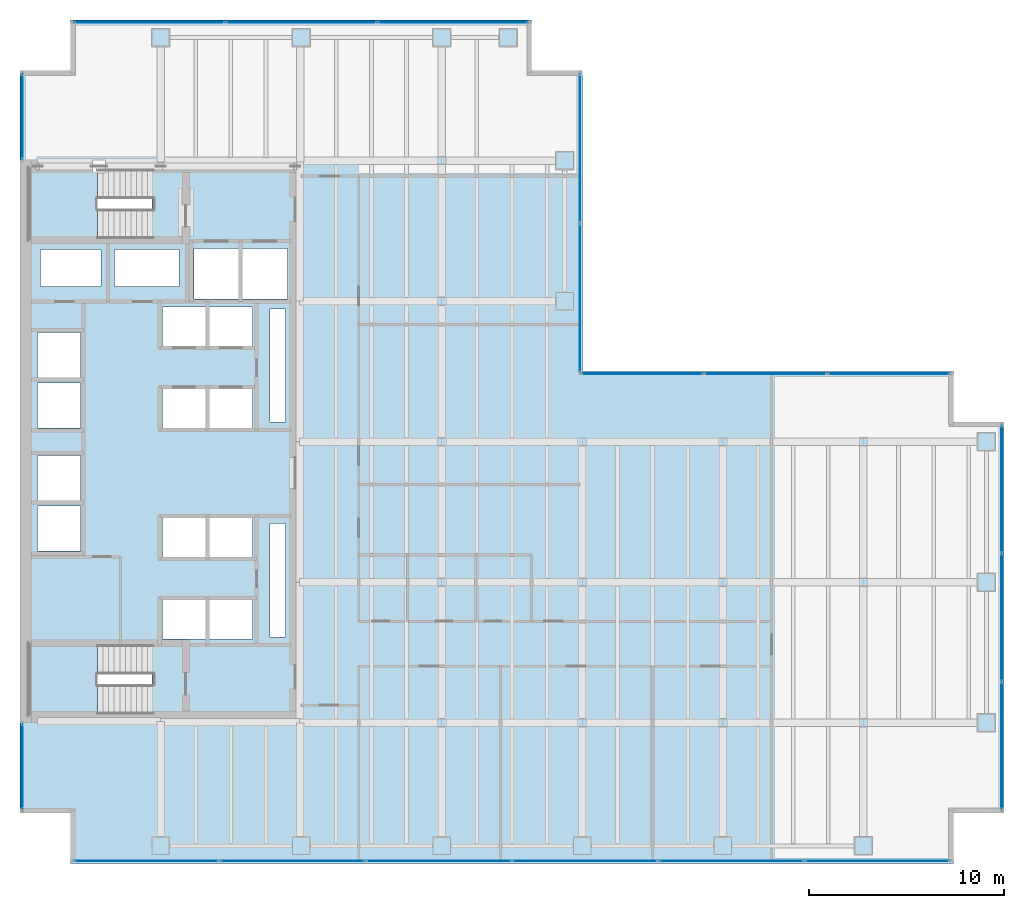
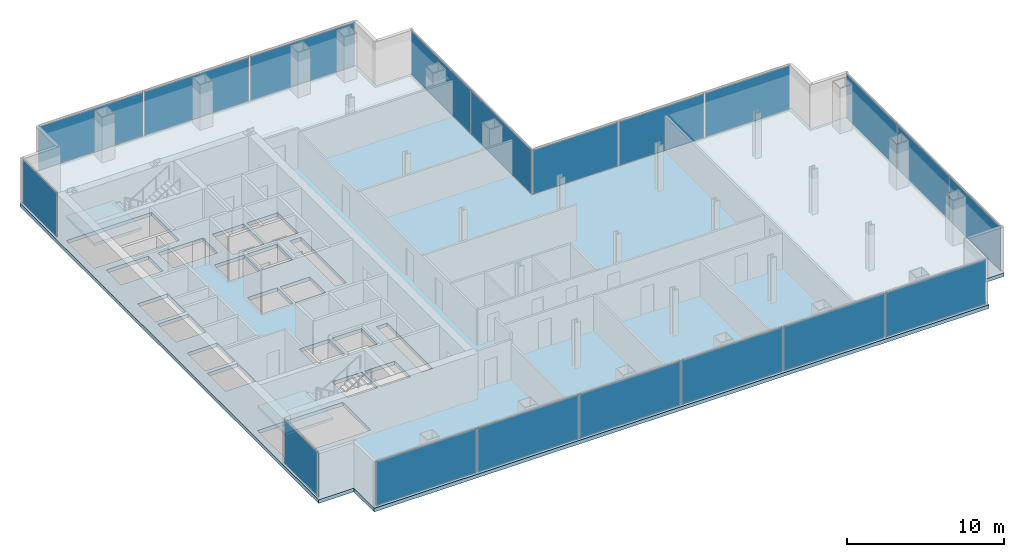
# One storey, part 19 of 24: 19 plates, 3 slabs, 20 openings, 9 elements without a shape of their own.
"""IFC4 building model written with IfcOpenShell, lengths in metres."""

import ifcopenshell
import ifcopenshell.guid

model = None  # the IFC model being written
_history = None  # IfcOwnerHistory: only IFC2X3 demands one
_inside = {}  # id of a spatial element -> (the spatial element, [elements in it])
_under = {}  # id of a project, library or spatial element -> (it, [spatial elements below it])
_declared = {}  # id of a project -> (the project, [libraries it declares])
_typed = {}  # id of a type object -> (the type object, [elements of that type])
_made_of = {}  # id of a material, layer set ... -> (it, [elements and type objects made of it])


def new_model(schema):
    """Start an empty IFC model of exactly this schema.

    Asked for "IFC4X3", IfcOpenShell would pick the latest addendum, in which some entities
    have other attributes; the version numbers below select the first issue.
    IFC2X3 requires an IfcOwnerHistory on every rooted entity: one is made here for all.
    """
    global model, _history
    if schema == "IFC4X3":
        model = ifcopenshell.file(schema_version=(4, 3, 0, 0))
    else:
        model = ifcopenshell.file(schema=schema)
    _inside.clear()
    _under.clear()
    _declared.clear()
    _typed.clear()
    _made_of.clear()
    _history = None
    if model.schema == "IFC2X3":
        org = make("IfcOrganization", Name="unknown")
        user = make(
            "IfcPersonAndOrganization",
            ThePerson=make("IfcPerson", FamilyName="unknown"),
            TheOrganization=org,
        )
        app = make(
            "IfcApplication",
            ApplicationDeveloper=org,
            Version="unknown",
            ApplicationFullName="unknown",
            ApplicationIdentifier="unknown",
        )
        _history = make(
            "IfcOwnerHistory",
            OwningUser=user,
            OwningApplication=app,
            ChangeAction="ADDED",
            CreationDate=0,
        )
    return model


def make(cls, **values):
    """One entity of the class cls with the attributes given. An attribute that is None is left unset."""
    return model.create_entity(
        cls, **{name: value for name, value in values.items() if value is not None}
    )


def rooted(cls, **values):
    """An entity with a GlobalId (a new one), such as an element, a storey or a relation."""
    return make(cls, GlobalId=ifcopenshell.guid.new(), OwnerHistory=_history, **values)


def si_unit(unit_type, name, prefix=None):
    """IfcSIUnit, for example si_unit("LENGTHUNIT", "METRE", prefix="MILLI")."""
    return make("IfcSIUnit", UnitType=unit_type, Prefix=prefix, Name=name)


def assignment(units):
    """IfcUnitAssignment: the units of a project."""
    return None if units is None else make("IfcUnitAssignment", Units=units)


def point(xyz):
    """IfcCartesianPoint."""
    return None if xyz is None else make("IfcCartesianPoint", Coordinates=xyz)


def direction(xyz):
    """IfcDirection."""
    return None if xyz is None else make("IfcDirection", DirectionRatios=xyz)


def frame(location, z_axis=None, x_axis=None):
    """IfcAxis2Placement3D, a coordinate frame: its origin and axes. An axis left out is left unset."""
    return make(
        "IfcAxis2Placement3D",
        Location=point(location),
        Axis=direction(z_axis),
        RefDirection=direction(x_axis),
    )


def frame_2d(location, x_axis=None):
    """IfcAxis2Placement2D, a coordinate frame in the plane: its origin and x axis."""
    return make(
        "IfcAxis2Placement2D", Location=point(location), RefDirection=direction(x_axis)
    )


def origin():
    """The frame at (0, 0, 0) with its axes left unset."""
    return frame((0.0, 0.0, 0.0))


def origin_2d():
    """The frame at (0, 0) in the plane with its x axis left unset."""
    return frame_2d((0.0, 0.0))


def place(relative_to, where):
    """IfcLocalPlacement: puts the frame where relative to a parent placement (None: the world)."""
    return make(
        "IfcLocalPlacement", PlacementRelTo=relative_to, RelativePlacement=where
    )


def context(
    kind, dimensions, precision=None, world=None, true_north=None, identifier=None
):
    """IfcGeometricRepresentationContext, for example the 3D "Model" context."""
    return make(
        "IfcGeometricRepresentationContext",
        ContextIdentifier=identifier,
        ContextType=kind,
        CoordinateSpaceDimension=dimensions,
        Precision=precision,
        WorldCoordinateSystem=world,
        TrueNorth=true_north,
    )


def subcontext(parent, identifier, kind, view, scale=None):
    """IfcGeometricRepresentationSubContext, for example "Body" below "Model"."""
    return make(
        "IfcGeometricRepresentationSubContext",
        ContextIdentifier=identifier,
        ContextType=kind,
        ParentContext=parent,
        TargetScale=scale,
        TargetView=view,
    )


def project(units=None, contexts=None):
    """IfcProject with its units and contexts."""
    return rooted(
        "IfcProject",
        Name="project",
        RepresentationContexts=contexts,
        UnitsInContext=assignment(units),
    )


def spatial(cls, under=None, at=None, **own):
    """A site, building, storey or space (cls), placed at a placement, below another one or the project."""
    s = rooted(cls, ObjectPlacement=at, **own)
    if under is not None:
        _under.setdefault(under.id(), (under, []))[1].append(s)
    return s


def polyline(points):
    """IfcPolyline through the points."""
    return make("IfcPolyline", Points=[point(p) for p in points])


def profile(cls, at=None, kind="AREA", **sizes):
    """A parametric profile (cls). Its sizes go by their IFC names, for example OverallWidth=200.0."""
    return make(cls, ProfileType=kind, Position=at, **sizes)


def rectangle(**sizes):
    """IfcRectangleProfileDef."""
    return profile("IfcRectangleProfileDef", **sizes)


def outline(outer, holes=None, kind="AREA"):
    """IfcArbitraryClosedProfileDef: a profile drawn as a closed curve; with holes, ...WithVoids."""
    if holes is None:
        return make("IfcArbitraryClosedProfileDef", ProfileType=kind, OuterCurve=outer)
    return make(
        "IfcArbitraryProfileDefWithVoids",
        ProfileType=kind,
        OuterCurve=outer,
        InnerCurves=holes,
    )


def extrude(swept, where, along, depth):
    """IfcExtrudedAreaSolid: the profile swept, set in the frame where, extruded along a direction by depth."""
    return make(
        "IfcExtrudedAreaSolid",
        SweptArea=swept,
        Position=where,
        ExtrudedDirection=direction(along),
        Depth=depth,
    )


def shape(context_of_items, identifier, shape_type, items):
    """IfcShapeRepresentation: the items that make up one representation, for example the "Body"."""
    return make(
        "IfcShapeRepresentation",
        ContextOfItems=context_of_items,
        RepresentationIdentifier=identifier,
        RepresentationType=shape_type,
        Items=items,
    )


def material(Name=None, Category=None):
    """IfcMaterial."""
    return make("IfcMaterial", Name=Name, Category=Category)


def layer(
    of_material, thickness, ventilated=None, Name=None, Category=None, Priority=None
):
    """IfcMaterialLayer: one layer of a wall or slab, of a material (None: an air gap)."""
    return make(
        "IfcMaterialLayer",
        Material=of_material,
        LayerThickness=thickness,
        IsVentilated=ventilated,
        Name=Name,
        Category=Category,
        Priority=Priority,
    )


def layer_set(layers, Name=None):
    """IfcMaterialLayerSet."""
    return make("IfcMaterialLayerSet", MaterialLayers=layers, LayerSetName=Name)


def made_of(thing, what):
    """Note that an element or type object is made of a material, layer set ...; save() writes the relation."""
    if what is not None:
        _made_of.setdefault(what.id(), (what, []))[1].append(thing)
    return thing


def type_object(cls, material=None, **own):
    """A type object (cls), such as IfcWallType, which elements share."""
    return made_of(rooted(cls, **own), material)


def element(
    cls,
    number,
    at=None,
    inside=None,
    cuts=None,
    type_object=None,
    material=None,
    context=None,
    identifier="Body",
    shape_type=None,
    held_by="IfcProductDefinitionShape",
    body=None,
    shapes=None,
    **own,
):
    """One element of the class cls, such as IfcWall. Its Tag is "e" and its number.

    at: its placement. inside: the storey or other place that contains it. cuts: it is an
    opening in that element (IfcRelVoidsElement). A single representation is given by context,
    identifier, shape_type and body (its items); several are given by shapes. held_by: the class
    of the entity that holds the representations. save() writes the other relations.
    """
    e = rooted(cls, Tag="e%d" % number, ObjectPlacement=at, **own)
    if body is not None:
        shapes = [shape(context, identifier, shape_type, body)]
    if shapes is not None:
        e.Representation = make(held_by, Representations=shapes)
    if inside is not None:
        _inside.setdefault(inside.id(), (inside, []))[1].append(e)
    if cuts is not None:
        rooted(
            "IfcRelVoidsElement", RelatingBuildingElement=cuts, RelatedOpeningElement=e
        )
    if type_object is not None:
        _typed.setdefault(type_object.id(), (type_object, []))[1].append(e)
    return made_of(e, material)


def aggregate(whole, parts):
    """IfcRelAggregates: a whole, such as a stair, and the parts it consists of."""
    return rooted("IfcRelAggregates", RelatingObject=whole, RelatedObjects=parts)


def save(model, path):
    """Write the relations noted so far, then the file.

    IfcRelAggregates (storeys below a building ...), IfcRelContainedInSpatialStructure (elements
    in a storey), IfcRelDefinesByType, IfcRelAssociatesMaterial and IfcRelDeclares: one each for
    every whole, place, type object, material and project.
    """
    for whole, parts in _under.values():
        aggregate(whole, parts)
    for where, things in _inside.values():
        rooted(
            "IfcRelContainedInSpatialStructure",
            RelatedElements=things,
            RelatingStructure=where,
        )
    for kind, things in _typed.values():
        rooted("IfcRelDefinesByType", RelatedObjects=things, RelatingType=kind)
    for what, things in _made_of.values():
        rooted("IfcRelAssociatesMaterial", RelatedObjects=things, RelatingMaterial=what)
    for by, libraries in _declared.values():
        rooted("IfcRelDeclares", RelatingContext=by, RelatedDefinitions=libraries)
    model.write(path)


model = new_model("IFC4")

# Units and contexts
model_context = context("Model", 3, precision=1e-05, world=origin(), true_north=direction((0.0, 1.0)))
body_context = subcontext(model_context, "Body", "Model", "MODEL_VIEW")
ifc_project = project(units=[si_unit("LENGTHUNIT", "METRE"), si_unit("AREAUNIT", "SQUARE_METRE"), si_unit("VOLUMEUNIT", "CUBIC_METRE"), si_unit("PLANEANGLEUNIT", "RADIAN"), si_unit("MASSUNIT", "GRAM", prefix="KILO")], contexts=[model_context])

# Site, building, storey
site_placement = place(None, origin())
site = spatial("IfcSite", under=ifc_project, at=site_placement, CompositionType="ELEMENT")
building_placement = place(site_placement, origin())
building = spatial("IfcBuilding", under=site, at=building_placement, Name="Cobrela Telecom Tower", CompositionType="ELEMENT")
storey_placement = place(building_placement, frame((0.0, 0.0, 85.050048828125)))
storey = spatial("IfcBuildingStorey", under=building, at=storey_placement, Name="L21", CompositionType="ELEMENT", Elevation=85.050048828125)

# Curtain wall, plate
ifc_material_1 = material(Name="Anodized Bronze Aluminium 6063-T6", Category="aluminium")
curtain_wall_type = type_object("IfcCurtainWallType", Name="CW-SYS-DATA", PredefinedType="USERDEFINED", material=ifc_material_1)
curtain_wall_1_placement = place(storey_placement, origin())
curtain_wall_1 = element("IfcCurtainWall", 1, at=curtain_wall_1_placement, inside=storey, type_object=curtain_wall_type, Name="L21 Unitised Bronze Curtain Wall 03", ObjectType="UNITISED CURTAIN WALL", PredefinedType="USERDEFINED")
ifc_material_2 = material(Name="Solar-Control Bronze Low-E Glass", Category="glass")
ifc_layer_1 = layer(ifc_material_2, 0.0380859375)
ifc_layer_set_1 = layer_set([ifc_layer_1], Name="Solar-Control Bronze Low-E Glass")
plate_type = type_object("IfcPlateType", Name="CW-SYS-DATA-PNL", PredefinedType="CURTAIN_PANEL", material=ifc_layer_set_1)
plate_1_placement = place(storey_placement, frame((0.1201171875, 4.955078125, 0.074951171875), z_axis=(0.0, 0.0, 1.0), x_axis=(0.0, 1.0, 0.0)))
plate_1 = element("IfcPlate", 2, at=plate_1_placement, type_object=plate_type, Name="CW-DATA panel 1.1", PredefinedType="CURTAIN_PANEL", context=body_context, shape_type="SweptSolid", body=[
    extrude(rectangle(XDim=4.330078125, YDim=0.0380859375, at=origin_2d()), origin(), (0.0, 0.0, 1.0), 3.419921875),
])
aggregate(curtain_wall_1, [plate_1])

curtain_wall_2_placement = place(storey_placement, origin())
curtain_wall_2 = element("IfcCurtainWall", 3, at=curtain_wall_2_placement, inside=storey, type_object=curtain_wall_type, Name="L21 Unitised Bronze Curtain Wall 04", ObjectType="UNITISED CURTAIN WALL", PredefinedType="USERDEFINED")
plate_2_placement = place(storey_placement, frame((0.1201171875, 38.2451171875, 0.074951171875), z_axis=(0.0, 0.0, 1.0), x_axis=(0.0, 1.0, 0.0)))
plate_2 = element("IfcPlate", 4, at=plate_2_placement, type_object=plate_type, Name="CW-DATA panel 1.1", PredefinedType="CURTAIN_PANEL", context=body_context, shape_type="SweptSolid", body=[
    extrude(rectangle(XDim=4.330078125, YDim=0.0380859375, at=origin_2d()), origin(), (0.0, 0.0, 1.0), 3.419921875),
])
aggregate(curtain_wall_2, [plate_2])

# Curtain wall, plates
curtain_wall_3_placement = place(storey_placement, origin())
curtain_wall_3 = element("IfcCurtainWall", 5, at=curtain_wall_3_placement, inside=storey, type_object=curtain_wall_type, Name="L21 Unitised Bronze Curtain Wall 07", ObjectType="UNITISED CURTAIN WALL", PredefinedType="USERDEFINED")
plate_3_placement = place(storey_placement, frame((6.626708984375, 43.080078125, 0.074951171875), z_axis=(0.0, 0.0, 1.0), x_axis=(1.0, 0.0, 0.0)))
plate_3 = element("IfcPlate", 6, at=plate_3_placement, type_object=plate_type, Name="CW-DATA panel 1.1", PredefinedType="CURTAIN_PANEL", context=body_context, shape_type="SweptSolid", body=[
    extrude(rectangle(XDim=7.67333984375, YDim=0.0380859375, at=origin_2d()), origin(), (0.0, 0.0, 1.0), 3.419921875),
])
plate_4_placement = place(storey_placement, frame((14.39990234375, 43.080078125, 0.074951171875), z_axis=(0.0, 0.0, 1.0), x_axis=(1.0, 0.0, 0.0)))
plate_4 = element("IfcPlate", 7, at=plate_4_placement, type_object=plate_type, Name="CW-DATA panel 2.1", PredefinedType="CURTAIN_PANEL", context=body_context, shape_type="SweptSolid", body=[
    extrude(rectangle(XDim=7.71337890625, YDim=0.0380859375, at=origin_2d()), origin(), (0.0, 0.0, 1.0), 3.419921875),
])
plate_5_placement = place(storey_placement, frame((22.17333984375, 43.080078125, 0.074951171875), z_axis=(0.0, 0.0, 1.0), x_axis=(1.0, 0.0, 0.0)))
plate_5 = element("IfcPlate", 8, at=plate_5_placement, type_object=plate_type, Name="CW-DATA panel 3.1", PredefinedType="CURTAIN_PANEL", context=body_context, shape_type="SweptSolid", body=[
    extrude(rectangle(XDim=7.67333984375, YDim=0.0380859375, at=origin_2d()), origin(), (0.0, 0.0, 1.0), 3.419921875),
])
aggregate(curtain_wall_3, [plate_3, plate_4, plate_5])

curtain_wall_4_placement = place(storey_placement, origin())
curtain_wall_4 = element("IfcCurtainWall", 9, at=curtain_wall_4_placement, inside=storey, type_object=curtain_wall_type, Name="L21 Unitised Bronze Curtain Wall 10", ObjectType="UNITISED CURTAIN WALL", PredefinedType="USERDEFINED")
plate_6_placement = place(storey_placement, frame((28.679931640625, 36.617431640625, 0.074951171875), z_axis=(0.0, 0.0, 1.0), x_axis=(0.0, -1.0, 0.0)))
plate_6 = element("IfcPlate", 10, at=plate_6_placement, type_object=plate_type, Name="CW-DATA panel 1.1", PredefinedType="CURTAIN_PANEL", context=body_context, shape_type="SweptSolid", body=[
    extrude(rectangle(XDim=7.5849609375, YDim=0.0380859375, at=origin_2d()), origin(), (0.0, 0.0, 1.0), 3.419921875),
])
plate_7_placement = place(storey_placement, frame((28.679931640625, 28.952392578125, 0.074951171875), z_axis=(0.0, 0.0, 1.0), x_axis=(0.0, -1.0, 0.0)))
plate_7 = element("IfcPlate", 11, at=plate_7_placement, type_object=plate_type, Name="CW-DATA panel 2.1", PredefinedType="CURTAIN_PANEL", context=body_context, shape_type="SweptSolid", body=[
    extrude(rectangle(XDim=7.5849609375, YDim=0.0380859375, at=origin_2d()), origin(), (0.0, 0.0, 1.0), 3.419921875),
])
aggregate(curtain_wall_4, [plate_6, plate_7])

curtain_wall_5_placement = place(storey_placement, origin())
curtain_wall_5 = element("IfcCurtainWall", 12, at=curtain_wall_5_placement, inside=storey, type_object=curtain_wall_type, Name="L21 Unitised Bronze Curtain Wall 11", ObjectType="UNITISED CURTAIN WALL", PredefinedType="USERDEFINED")
plate_8_placement = place(storey_placement, frame((31.868408203125, 25.080078125, 0.074951171875), z_axis=(0.0, 0.0, 1.0), x_axis=(1.0, 0.0, 0.0)))
plate_8 = element("IfcPlate", 13, at=plate_8_placement, type_object=plate_type, Name="CW-DATA panel 1.1", PredefinedType="CURTAIN_PANEL", context=body_context, shape_type="SweptSolid", body=[
    extrude(rectangle(XDim=6.216552734375, YDim=0.0380859375, at=origin_2d()), origin(), (0.0, 0.0, 1.0), 3.419921875),
])
plate_9_placement = place(storey_placement, frame((38.18505859375, 25.080078125, 0.074951171875), z_axis=(0.0, 0.0, 1.0), x_axis=(1.0, 0.0, 0.0)))
plate_9 = element("IfcPlate", 14, at=plate_9_placement, type_object=plate_type, Name="CW-DATA panel 2.1", PredefinedType="CURTAIN_PANEL", context=body_context, shape_type="SweptSolid", body=[
    extrude(rectangle(XDim=6.256591796875, YDim=0.0380859375, at=origin_2d()), origin(), (0.0, 0.0, 1.0), 3.419921875),
])
plate_10_placement = place(storey_placement, frame((44.501708984375, 25.080078125, 0.074951171875), z_axis=(0.0, 0.0, 1.0), x_axis=(1.0, 0.0, 0.0)))
plate_10 = element("IfcPlate", 15, at=plate_10_placement, type_object=plate_type, Name="CW-DATA panel 3.1", PredefinedType="CURTAIN_PANEL", context=body_context, shape_type="SweptSolid", body=[
    extrude(rectangle(XDim=6.216552734375, YDim=0.0380859375, at=origin_2d()), origin(), (0.0, 0.0, 1.0), 3.419921875),
])
aggregate(curtain_wall_5, [plate_8, plate_9, plate_10])

curtain_wall_6_placement = place(storey_placement, origin())
curtain_wall_6 = element("IfcCurtainWall", 16, at=curtain_wall_6_placement, inside=storey, type_object=curtain_wall_type, Name="L21 Unitised Bronze Curtain Wall 14", ObjectType="UNITISED CURTAIN WALL", PredefinedType="USERDEFINED")
plate_11_placement = place(storey_placement, frame((50.280029296875, 19.17333984375, 0.074951171875), z_axis=(0.0, 0.0, 1.0), x_axis=(0.0, -1.0, 0.0)))
plate_11 = element("IfcPlate", 17, at=plate_11_placement, type_object=plate_type, Name="CW-DATA panel 1.1", PredefinedType="CURTAIN_PANEL", context=body_context, shape_type="SweptSolid", body=[
    extrude(rectangle(XDim=6.473388671875, YDim=0.0380859375, at=origin_2d()), origin(), (0.0, 0.0, 1.0), 3.419921875),
])
plate_12_placement = place(storey_placement, frame((50.280029296875, 12.60009765625, 0.074951171875), z_axis=(0.0, 0.0, 1.0), x_axis=(0.0, -1.0, 0.0)))
plate_12 = element("IfcPlate", 18, at=plate_12_placement, type_object=plate_type, Name="CW-DATA panel 2.1", PredefinedType="CURTAIN_PANEL", context=body_context, shape_type="SweptSolid", body=[
    extrude(rectangle(XDim=6.513427734375, YDim=0.0380859375, at=origin_2d()), origin(), (0.0, 0.0, 1.0), 3.419921875),
])
plate_13_placement = place(storey_placement, frame((50.280029296875, 6.026611328125, 0.074951171875), z_axis=(0.0, 0.0, 1.0), x_axis=(0.0, -1.0, 0.0)))
plate_13 = element("IfcPlate", 19, at=plate_13_placement, type_object=plate_type, Name="CW-DATA panel 3.1", PredefinedType="CURTAIN_PANEL", context=body_context, shape_type="SweptSolid", body=[
    extrude(rectangle(XDim=6.473388671875, YDim=0.0380859375, at=origin_2d()), origin(), (0.0, 0.0, 1.0), 3.419921875),
])
aggregate(curtain_wall_6, [plate_11, plate_12, plate_13])

curtain_wall_7_placement = place(storey_placement, origin())
curtain_wall_7 = element("IfcCurtainWall", 20, at=curtain_wall_7_placement, inside=storey, type_object=curtain_wall_type, Name="L21 Unitised Bronze Curtain Wall 17", ObjectType="UNITISED CURTAIN WALL", PredefinedType="USERDEFINED")
plate_14_placement = place(storey_placement, frame((43.921630859375, 0.1201171875, 0.074951171875), z_axis=(0.0, 0.0, 1.0), x_axis=(-1.0, 0.0, 0.0)))
plate_14 = element("IfcPlate", 21, at=plate_14_placement, type_object=plate_type, Name="CW-DATA panel 1.1", PredefinedType="CURTAIN_PANEL", context=body_context, shape_type="SweptSolid", body=[
    extrude(rectangle(XDim=7.376708984375, YDim=0.0380859375, at=origin_2d()), origin(), (0.0, 0.0, 1.0), 3.419921875),
])
plate_15_placement = place(storey_placement, frame((36.445068359375, 0.1201171875, 0.074951171875), z_axis=(0.0, 0.0, 1.0), x_axis=(-1.0, 0.0, 0.0)))
plate_15 = element("IfcPlate", 22, at=plate_15_placement, type_object=plate_type, Name="CW-DATA panel 2.1", PredefinedType="CURTAIN_PANEL", context=body_context, shape_type="SweptSolid", body=[
    extrude(rectangle(XDim=7.416748046875, YDim=0.0380859375, at=origin_2d()), origin(), (0.0, 0.0, 1.0), 3.419921875),
])
plate_16_placement = place(storey_placement, frame((28.9482421875, 0.1201171875, 0.074951171875), z_axis=(0.0, 0.0, 1.0), x_axis=(-1.0, 0.0, 0.0)))
plate_16 = element("IfcPlate", 23, at=plate_16_placement, type_object=plate_type, Name="CW-DATA panel 3.1", PredefinedType="CURTAIN_PANEL", context=body_context, shape_type="SweptSolid", body=[
    extrude(rectangle(XDim=7.416748046875, YDim=0.0380859375, at=origin_2d()), origin(), (0.0, 0.0, 1.0), 3.419921875),
])
plate_17_placement = place(storey_placement, frame((21.45166015625, 0.1201171875, 0.074951171875), z_axis=(0.0, 0.0, 1.0), x_axis=(-1.0, 0.0, 0.0)))
plate_17 = element("IfcPlate", 24, at=plate_17_placement, type_object=plate_type, Name="CW-DATA panel 4.1", PredefinedType="CURTAIN_PANEL", context=body_context, shape_type="SweptSolid", body=[
    extrude(rectangle(XDim=7.416748046875, YDim=0.0380859375, at=origin_2d()), origin(), (0.0, 0.0, 1.0), 3.419921875),
])
plate_18_placement = place(storey_placement, frame((13.955078125, 0.1201171875, 0.074951171875), z_axis=(0.0, 0.0, 1.0), x_axis=(-1.0, 0.0, 0.0)))
plate_18 = element("IfcPlate", 25, at=plate_18_placement, type_object=plate_type, Name="CW-DATA panel 5.1", PredefinedType="CURTAIN_PANEL", context=body_context, shape_type="SweptSolid", body=[
    extrude(rectangle(XDim=7.416748046875, YDim=0.0380859375, at=origin_2d()), origin(), (0.0, 0.0, 1.0), 3.419921875),
])
plate_19_placement = place(storey_placement, frame((6.478271484375, 0.1201171875, 0.074951171875), z_axis=(0.0, 0.0, 1.0), x_axis=(-1.0, 0.0, 0.0)))
plate_19 = element("IfcPlate", 26, at=plate_19_placement, type_object=plate_type, Name="CW-DATA panel 6.1", PredefinedType="CURTAIN_PANEL", context=body_context, shape_type="SweptSolid", body=[
    extrude(rectangle(XDim=7.376708984375, YDim=0.0380859375, at=origin_2d()), origin(), (0.0, 0.0, 1.0), 3.419921875),
])
aggregate(curtain_wall_7, [plate_14, plate_15, plate_16, plate_17, plate_18, plate_19])

# Slab, openings
ifc_material_3 = material(Name="Concrete C40/50", Category="concrete")
ifc_layer_2 = layer(ifc_material_3, 0.280029296875)
ifc_layer_set_2 = layer_set([ifc_layer_2], Name="Concrete C40/50")
slab_type_1 = type_object("IfcSlabType", Name="SLAB-FLR-280", PredefinedType="FLOOR", material=ifc_layer_set_2)
slab_1_placement = place(storey_placement, frame((0.0, 0.0, -0.280029296875)))
slab_1 = element("IfcSlab", 27, at=slab_1_placement, inside=storey, type_object=slab_type_1, Name="L21 Structural Floor Slab", PredefinedType="FLOOR", context=body_context, shape_type="SweptSolid", body=[
    extrude(outline(polyline([(2.590087890625, 0.0), (47.81005859375, 0.0), (47.81005859375, 2.590087890625), (50.39990234375, 2.590087890625), (50.39990234375, 22.610107421875), (47.81005859375, 22.610107421875), (47.81005859375, 25.199951171875), (28.800048828125, 25.199951171875), (28.800048828125, 40.610107421875), (26.2099609375, 40.610107421875), (26.2099609375, 43.199951171875), (2.590087890625, 43.199951171875), (2.590087890625, 40.610107421875), (0.0, 40.610107421875), (0.0, 2.590087890625), (2.590087890625, 2.590087890625), (2.590087890625, 0.0)])), origin(), (0.0, 0.0, 1.0), 0.280029296875),
])
opening_1_placement = place(slab_1_placement, frame((0.0, 0.0, -0.02001953125)))
element("IfcOpeningElement", 28, at=opening_1_placement, cuts=slab_1, Name="Slab Shaft Opening SLAB-L21-MAIN.1", PredefinedType="OPENING", context=body_context, shape_type="SweptSolid", body=[
    extrude(outline(polyline([(8.89990234375, 28.89990234375), (11.199951171875, 28.89990234375), (11.199951171875, 31.5), (8.89990234375, 31.5), (8.89990234375, 28.89990234375)])), origin(), (0.0, 0.0, 1.0), 0.320068359375),
])
opening_2_placement = place(slab_1_placement, frame((0.0, 0.0, -0.02001953125)))
element("IfcOpeningElement", 29, at=opening_2_placement, cuts=slab_1, Name="Slab Shaft Opening SLAB-L21-MAIN.2", PredefinedType="OPENING", context=body_context, shape_type="SweptSolid", body=[
    extrude(outline(polyline([(11.39990234375, 28.89990234375), (13.699951171875, 28.89990234375), (13.699951171875, 31.5), (11.39990234375, 31.5), (11.39990234375, 28.89990234375)])), origin(), (0.0, 0.0, 1.0), 0.320068359375),
])
opening_3_placement = place(slab_1_placement, frame((0.0, 0.0, -0.02001953125)))
element("IfcOpeningElement", 30, at=opening_3_placement, cuts=slab_1, Name="Slab Shaft Opening SLAB-L21-MAIN.3", PredefinedType="OPENING", context=body_context, shape_type="SweptSolid", body=[
    extrude(outline(polyline([(7.300048828125, 22.300048828125), (9.5, 22.300048828125), (9.5, 24.300048828125), (7.300048828125, 24.300048828125), (7.300048828125, 22.300048828125)])), origin(), (0.0, 0.0, 1.0), 0.320068359375),
])
opening_4_placement = place(slab_1_placement, frame((0.0, 0.0, -0.02001953125)))
element("IfcOpeningElement", 31, at=opening_4_placement, cuts=slab_1, Name="Slab Shaft Opening SLAB-L21-MAIN.4", PredefinedType="OPENING", context=body_context, shape_type="SweptSolid", body=[
    extrude(outline(polyline([(9.699951171875, 22.300048828125), (11.89990234375, 22.300048828125), (11.89990234375, 24.300048828125), (9.699951171875, 24.300048828125), (9.699951171875, 22.300048828125)])), origin(), (0.0, 0.0, 1.0), 0.320068359375),
])
opening_5_placement = place(slab_1_placement, frame((0.0, 0.0, -0.02001953125)))
element("IfcOpeningElement", 32, at=opening_5_placement, cuts=slab_1, Name="Slab Shaft Opening SLAB-L21-MAIN.5", PredefinedType="OPENING", context=body_context, shape_type="SweptSolid", body=[
    extrude(outline(polyline([(7.300048828125, 26.5), (9.5, 26.5), (9.5, 28.5), (7.300048828125, 28.5), (7.300048828125, 26.5)])), origin(), (0.0, 0.0, 1.0), 0.320068359375),
])
opening_6_placement = place(slab_1_placement, frame((0.0, 0.0, -0.02001953125)))
element("IfcOpeningElement", 33, at=opening_6_placement, cuts=slab_1, Name="Slab Shaft Opening SLAB-L21-MAIN.6", PredefinedType="OPENING", context=body_context, shape_type="SweptSolid", body=[
    extrude(outline(polyline([(9.699951171875, 26.5), (11.89990234375, 26.5), (11.89990234375, 28.5), (9.699951171875, 28.5), (9.699951171875, 26.5)])), origin(), (0.0, 0.0, 1.0), 0.320068359375),
])
opening_7_placement = place(slab_1_placement, frame((0.0, 0.0, -0.02001953125)))
element("IfcOpeningElement", 34, at=opening_7_placement, cuts=slab_1, Name="Slab Shaft Opening SLAB-L21-MAIN.7", PredefinedType="OPENING", context=body_context, shape_type="SweptSolid", body=[
    extrude(outline(polyline([(7.300048828125, 15.699951171875), (9.5, 15.699951171875), (9.5, 17.699951171875), (7.300048828125, 17.699951171875), (7.300048828125, 15.699951171875)])), origin(), (0.0, 0.0, 1.0), 0.320068359375),
])
opening_8_placement = place(slab_1_placement, frame((0.0, 0.0, -0.02001953125)))
element("IfcOpeningElement", 35, at=opening_8_placement, cuts=slab_1, Name="Slab Shaft Opening SLAB-L21-MAIN.8", PredefinedType="OPENING", context=body_context, shape_type="SweptSolid", body=[
    extrude(outline(polyline([(9.699951171875, 15.699951171875), (11.89990234375, 15.699951171875), (11.89990234375, 17.699951171875), (9.699951171875, 17.699951171875), (9.699951171875, 15.699951171875)])), origin(), (0.0, 0.0, 1.0), 0.320068359375),
])
opening_9_placement = place(slab_1_placement, frame((0.0, 0.0, -0.02001953125)))
element("IfcOpeningElement", 36, at=opening_9_placement, cuts=slab_1, Name="Slab Shaft Opening SLAB-L21-MAIN.9", PredefinedType="OPENING", context=body_context, shape_type="SweptSolid", body=[
    extrude(outline(polyline([(7.300048828125, 11.5), (9.5, 11.5), (9.5, 13.5), (7.300048828125, 13.5), (7.300048828125, 11.5)])), origin(), (0.0, 0.0, 1.0), 0.320068359375),
])
opening_10_placement = place(slab_1_placement, frame((0.0, 0.0, -0.02001953125)))
element("IfcOpeningElement", 37, at=opening_10_placement, cuts=slab_1, Name="Slab Shaft Opening SLAB-L21-MAIN.10", PredefinedType="OPENING", context=body_context, shape_type="SweptSolid", body=[
    extrude(outline(polyline([(9.699951171875, 11.5), (11.89990234375, 11.5), (11.89990234375, 13.5), (9.699951171875, 13.5), (9.699951171875, 11.5)])), origin(), (0.0, 0.0, 1.0), 0.320068359375),
])
opening_11_placement = place(slab_1_placement, frame((0.0, 0.0, -0.02001953125)))
element("IfcOpeningElement", 38, at=opening_11_placement, cuts=slab_1, Name="Slab Shaft Opening SLAB-L21-MAIN.11", PredefinedType="OPENING", context=body_context, shape_type="SweptSolid", body=[
    extrude(outline(polyline([(0.89990234375, 16.0), (3.10009765625, 16.0), (3.10009765625, 18.300048828125), (0.89990234375, 18.300048828125), (0.89990234375, 16.0)])), origin(), (0.0, 0.0, 1.0), 0.320068359375),
])
opening_12_placement = place(slab_1_placement, frame((0.0, 0.0, -0.02001953125)))
element("IfcOpeningElement", 39, at=opening_12_placement, cuts=slab_1, Name="Slab Shaft Opening SLAB-L21-MAIN.12", PredefinedType="OPENING", context=body_context, shape_type="SweptSolid", body=[
    extrude(outline(polyline([(0.89990234375, 18.60009765625), (3.10009765625, 18.60009765625), (3.10009765625, 20.89990234375), (0.89990234375, 20.89990234375), (0.89990234375, 18.60009765625)])), origin(), (0.0, 0.0, 1.0), 0.320068359375),
])
opening_13_placement = place(slab_1_placement, frame((0.0, 0.0, -0.02001953125)))
element("IfcOpeningElement", 40, at=opening_13_placement, cuts=slab_1, Name="Slab Shaft Opening SLAB-L21-MAIN.13", PredefinedType="OPENING", context=body_context, shape_type="SweptSolid", body=[
    extrude(outline(polyline([(0.89990234375, 22.300048828125), (3.10009765625, 22.300048828125), (3.10009765625, 24.60009765625), (0.89990234375, 24.60009765625), (0.89990234375, 22.300048828125)])), origin(), (0.0, 0.0, 1.0), 0.320068359375),
])
opening_14_placement = place(slab_1_placement, frame((0.0, 0.0, -0.02001953125)))
element("IfcOpeningElement", 41, at=opening_14_placement, cuts=slab_1, Name="Slab Shaft Opening SLAB-L21-MAIN.14", PredefinedType="OPENING", context=body_context, shape_type="SweptSolid", body=[
    extrude(outline(polyline([(0.89990234375, 24.89990234375), (3.10009765625, 24.89990234375), (3.10009765625, 27.199951171875), (0.89990234375, 27.199951171875), (0.89990234375, 24.89990234375)])), origin(), (0.0, 0.0, 1.0), 0.320068359375),
])
opening_15_placement = place(slab_1_placement, frame((0.0, 0.0, -0.02001953125)))
element("IfcOpeningElement", 42, at=opening_15_placement, cuts=slab_1, Name="Slab Shaft Opening SLAB-L21-MAIN.15", PredefinedType="OPENING", context=body_context, shape_type="SweptSolid", body=[
    extrude(outline(polyline([(1.050048828125, 29.550048828125), (4.14990234375, 29.550048828125), (4.14990234375, 31.449951171875), (1.050048828125, 31.449951171875), (1.050048828125, 29.550048828125)])), origin(), (0.0, 0.0, 1.0), 0.320068359375),
])
opening_16_placement = place(slab_1_placement, frame((0.0, 0.0, -0.02001953125)))
element("IfcOpeningElement", 43, at=opening_16_placement, cuts=slab_1, Name="Slab Shaft Opening SLAB-L21-MAIN.16", PredefinedType="OPENING", context=body_context, shape_type="SweptSolid", body=[
    extrude(outline(polyline([(4.85009765625, 29.550048828125), (8.14990234375, 29.550048828125), (8.14990234375, 31.449951171875), (4.85009765625, 31.449951171875), (4.85009765625, 29.550048828125)])), origin(), (0.0, 0.0, 1.0), 0.320068359375),
])
opening_17_placement = place(slab_1_placement, frame((0.0, 0.0, -0.02001953125)))
element("IfcOpeningElement", 44, at=opening_17_placement, cuts=slab_1, Name="Slab Shaft Opening SLAB-L21-MAIN.17", PredefinedType="OPENING", context=body_context, shape_type="SweptSolid", body=[
    extrude(outline(polyline([(12.800048828125, 22.60009765625), (13.60009765625, 22.60009765625), (13.60009765625, 28.39990234375), (12.800048828125, 28.39990234375), (12.800048828125, 22.60009765625)])), origin(), (0.0, 0.0, 1.0), 0.320068359375),
])
opening_18_placement = place(slab_1_placement, frame((0.0, 0.0, -0.02001953125)))
element("IfcOpeningElement", 45, at=opening_18_placement, cuts=slab_1, Name="Slab Shaft Opening SLAB-L21-MAIN.18", PredefinedType="OPENING", context=body_context, shape_type="SweptSolid", body=[
    extrude(outline(polyline([(12.800048828125, 11.60009765625), (13.60009765625, 11.60009765625), (13.60009765625, 17.39990234375), (12.800048828125, 17.39990234375), (12.800048828125, 11.60009765625)])), origin(), (0.0, 0.0, 1.0), 0.320068359375),
])
opening_19_placement = place(slab_1_placement, frame((0.0, 0.0, -0.02001953125)))
element("IfcOpeningElement", 46, at=opening_19_placement, cuts=slab_1, Name="Slab Shaft Opening SLAB-L21-MAIN.19", PredefinedType="OPENING", context=body_context, shape_type="SweptSolid", body=[
    extrude(outline(polyline([(6.7548828125, 35.550048828125), (0.47998046875, 35.550048828125), (0.47998046875, 32.0), (6.7548828125, 32.0), (6.7548828125, 35.550048828125)])), origin(), (0.0, 0.0, 1.0), 0.320068359375),
])
opening_20_placement = place(slab_1_placement, frame((0.0, 0.0, -0.02001953125)))
element("IfcOpeningElement", 47, at=opening_20_placement, cuts=slab_1, Name="Slab Shaft Opening SLAB-L21-MAIN.20", PredefinedType="OPENING", context=body_context, shape_type="SweptSolid", body=[
    extrude(outline(polyline([(6.7548828125, 11.199951171875), (0.47998046875, 11.199951171875), (0.47998046875, 7.64990234375), (6.7548828125, 7.64990234375), (6.7548828125, 11.199951171875)])), origin(), (0.0, 0.0, 1.0), 0.320068359375),
])

# Stair, slab
stair_type = type_object("IfcStairType", Name="STAIR-CORE", PredefinedType="HALF_TURN_STAIR", material=ifc_material_3)
stair_1_placement = place(storey_placement, origin())
stair_1 = element("IfcStair", 48, at=stair_1_placement, inside=storey, type_object=stair_type, Name="L21 Smokeproof Exit Stair ST1", PredefinedType="HALF_TURN_STAIR")
ifc_layer_3 = layer(ifc_material_3, 0.199951171875)
ifc_layer_set_3 = layer_set([ifc_layer_3], Name="Concrete C40/50")
slab_type_2 = type_object("IfcSlabType", Name="SLAB-LAND-200", PredefinedType="LANDING", material=ifc_layer_set_3)
slab_2_placement = place(storey_placement, frame((0.0, 0.0, 1.724853515625)))
slab_2 = element("IfcSlab", 49, at=slab_2_placement, type_object=slab_type_2, Name="ST1 landing 1", PredefinedType="LANDING", context=body_context, shape_type="SweptSolid", body=[
    extrude(outline(polyline([(3.969970703125, 35.550048828125), (0.47998046875, 35.550048828125), (0.47998046875, 32.0), (3.969970703125, 32.0), (3.969970703125, 35.550048828125)])), origin(), (0.0, 0.0, 1.0), 0.2001953125),
])
aggregate(stair_1, [slab_2])

stair_2_placement = place(storey_placement, origin())
stair_2 = element("IfcStair", 50, at=stair_2_placement, inside=storey, type_object=stair_type, Name="L21 Smokeproof Exit Stair ST2", PredefinedType="HALF_TURN_STAIR")
slab_3_placement = place(storey_placement, frame((0.0, 0.0, 1.724853515625)))
slab_3 = element("IfcSlab", 51, at=slab_3_placement, type_object=slab_type_2, Name="ST2 landing 1", PredefinedType="LANDING", context=body_context, shape_type="SweptSolid", body=[
    extrude(outline(polyline([(3.969970703125, 11.199951171875), (0.47998046875, 11.199951171875), (0.47998046875, 7.64990234375), (3.969970703125, 7.64990234375), (3.969970703125, 11.199951171875)])), origin(), (0.0, 0.0, 1.0), 0.2001953125),
])
aggregate(stair_2, [slab_3])

save(model, "model.ifc")
